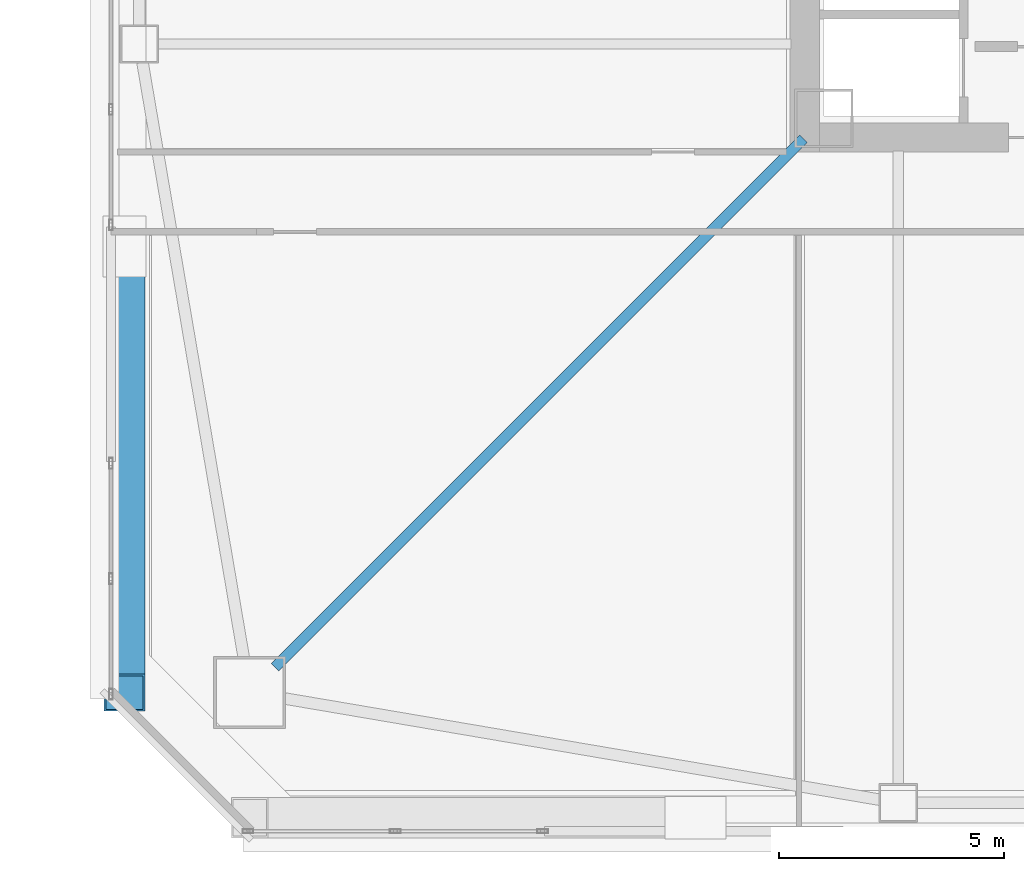
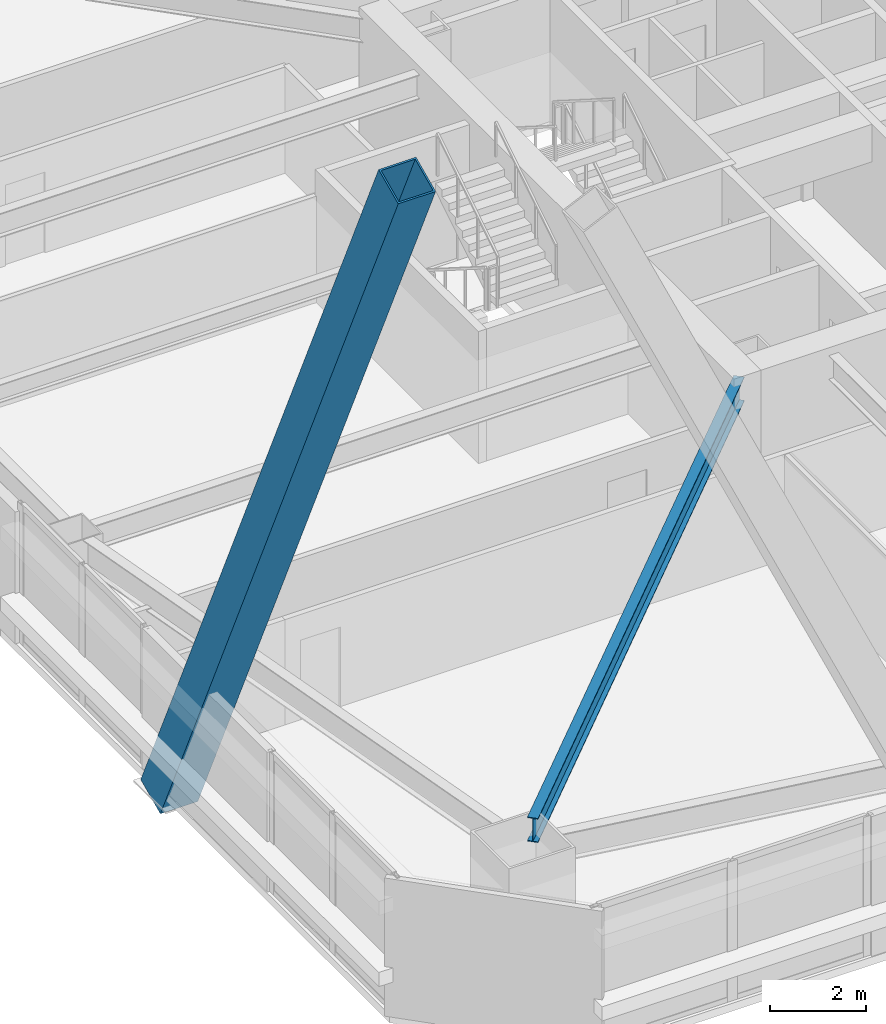
# One storey, part 6 of 75: 1 beam, 1 member.
"""IFC4 building model written with IfcOpenShell, lengths in metres."""

from ifc_helpers import new_model, si_unit, direction, frame, origin, origin_2d, place, context, subcontext, project, spatial, hollow_rectangle, i_section, extrude, material, material_profile, profile_set, type_object, element, save


model = new_model("IFC4")

# Units and contexts
model_context = context("Model", 3, precision=1e-05, world=origin(), true_north=direction((0.0, 1.0)))
body_context = subcontext(model_context, "Body", "Model", "MODEL_VIEW")
ifc_project = project(units=[si_unit("LENGTHUNIT", "METRE"), si_unit("AREAUNIT", "SQUARE_METRE"), si_unit("VOLUMEUNIT", "CUBIC_METRE"), si_unit("PLANEANGLEUNIT", "RADIAN"), si_unit("MASSUNIT", "GRAM", prefix="KILO")], contexts=[model_context])

# Site, building, storey
site_placement = place(None, origin())
site = spatial("IfcSite", under=ifc_project, at=site_placement, CompositionType="ELEMENT")
building_placement = place(site_placement, origin())
building = spatial("IfcBuilding", under=site, at=building_placement, Name="Tashvorn Skyway Center", CompositionType="ELEMENT")
storey_placement = place(building_placement, frame((0.0, 0.0, 45.89990234375)))
storey = spatial("IfcBuildingStorey", under=building, at=storey_placement, Name="L11", CompositionType="ELEMENT", Elevation=45.89990234375)

# Beam
ifc_material_1 = material(Name="Steel ASTM A992 Grade 50", Category="steel")
ifc_material_profile_1 = material_profile(ifc_material_1, i_section(OverallWidth=0.22998046875, OverallDepth=0.616943359375, WebThickness=0.01318359375, FlangeThickness=0.022216796875, at=origin_2d()), Name="W24X94")
ifc_profile_set_1 = profile_set([ifc_material_profile_1], Name="Steel ASTM A992 Grade 50")
beam_type = type_object("IfcBeamType", Name="BM-BEAM-W24X94", PredefinedType="BEAM", material=ifc_profile_set_1)
beam_placement = place(storey_placement, frame((22.76220703125, 12.76220703125, 3.04150390625), z_axis=(0.707106781187, 0.707106781187, 0.0), x_axis=(-0.707106781187, 0.707106781187, 0.0)))
element("IfcBeam", 1, at=beam_placement, inside=storey, type_object=beam_type, Name="Tower 1 L11 Primary Floor Girder MC-SW", PredefinedType="BEAM", context=body_context, shape_type="SweptSolid", body=[
    extrude(i_section(OverallWidth=0.22998046875, OverallDepth=0.616943359375, WebThickness=0.01318359375, FlangeThickness=0.022216796875, at=origin_2d()), origin(), (0.0, 0.0, 1.0), 16.591064453125),
])

# Member
ifc_material_2 = material(Name="Steel ASTM A572 Grade 50", Category="steel")
ifc_material_profile_2 = material_profile(ifc_material_2, hollow_rectangle(XDim=0.89990234375, YDim=0.89990234375, WallThickness=0.0400390625, at=origin_2d()), Name="BOX900x900x40")
ifc_profile_set_2 = profile_set([ifc_material_profile_2], Name="Steel ASTM A572 Grade 50")
member_type = type_object("IfcMemberType", Name="MEM-MB-900", PredefinedType="BRACE", material=ifc_profile_set_2)
member_placement = place(storey_placement, frame((19.419921875, 22.10009765625, -0.449951171875), z_axis=(0.0, -0.418259378631, 0.908327634825), x_axis=(1.0, 0.0, 0.0)))
element("IfcMember", 2, at=member_placement, inside=storey, type_object=member_type, Name="Tower 1 Zone 1 W Chevron Mega-Brace R2", PredefinedType="BRACE", context=body_context, shape_type="SweptSolid", body=[
    extrude(hollow_rectangle(XDim=0.89990234375, YDim=0.89990234375, WallThickness=0.0400390625, at=origin_2d()), origin(), (0.0, 0.0, 1.0), 23.669921875),
])

save(model, "model.ifc")
